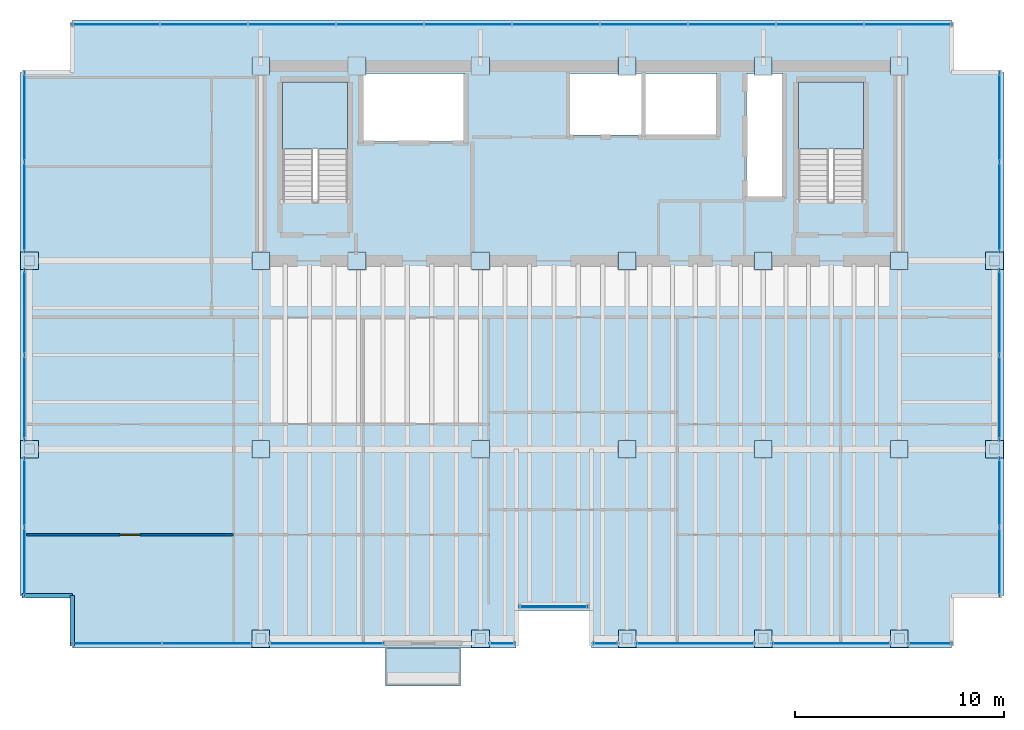
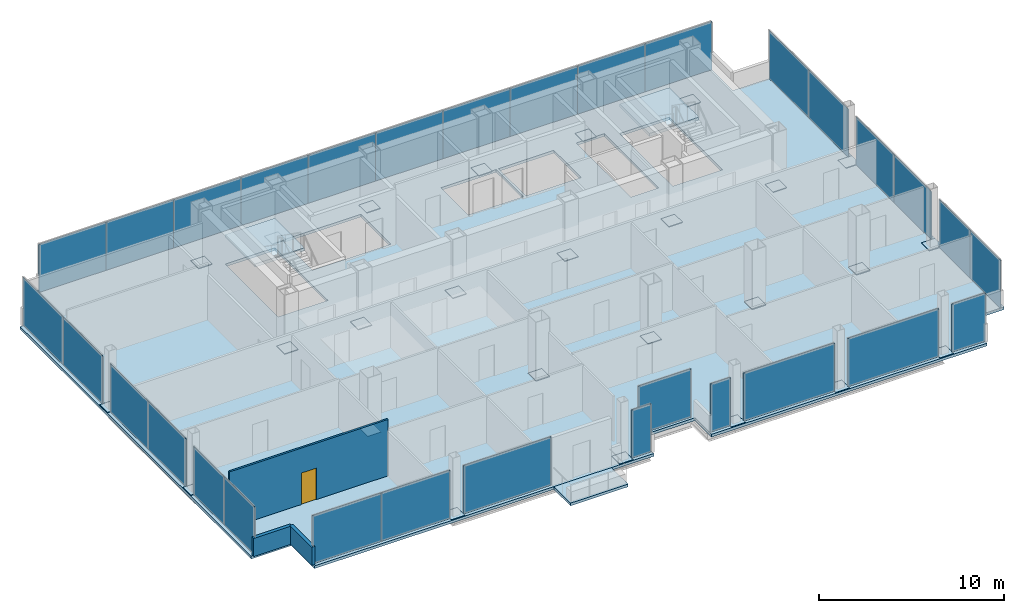
# One storey, part 18 of 22: 57 plates, 4 slabs, 3 walls, 1 door, 7 openings, 17 elements without a shape of their own.
"""IFC4 building model written with IfcOpenShell, lengths in metres."""

from ifc_helpers import new_model, si_unit, direction, frame, frame_2d, origin, origin_2d, place, context, subcontext, project, spatial, polyline, rectangle, outline, extrude, material, layer, layer_set, type_object, element, fill, aggregate, save


model = new_model("IFC4")

# Units and contexts
model_context = context("Model", 3, precision=1e-05, world=origin(), true_north=direction((0.0, 1.0)))
body_context = subcontext(model_context, "Body", "Model", "MODEL_VIEW")
ifc_project = project(units=[si_unit("LENGTHUNIT", "METRE"), si_unit("AREAUNIT", "SQUARE_METRE"), si_unit("VOLUMEUNIT", "CUBIC_METRE"), si_unit("PLANEANGLEUNIT", "RADIAN"), si_unit("MASSUNIT", "GRAM", prefix="KILO")], contexts=[model_context])

# Site, building, storey
site_placement = place(None, origin())
site = spatial("IfcSite", under=ifc_project, at=site_placement, CompositionType="ELEMENT")
building_placement = place(site_placement, origin())
building = spatial("IfcBuilding", under=site, at=building_placement, Name="Noeulbin Bourse Tower", CompositionType="ELEMENT")
storey_placement = place(building_placement, frame((0.0, 0.0, 130.5)))
storey = spatial("IfcBuildingStorey", under=building, at=storey_placement, Name="L32", CompositionType="ELEMENT", Elevation=130.5)

# Curtain wall, plate
ifc_material_1 = material(Name="Dark Tinted Triple Glazing", Category="glass")
curtain_wall_type = type_object("IfcCurtainWallType", Name="CW-SYS-3", PredefinedType="NOTDEFINED", material=ifc_material_1)
curtain_wall_1_placement = place(storey_placement, origin())
curtain_wall_1 = element("IfcCurtainWall", 1, at=curtain_wall_1_placement, inside=storey, type_object=curtain_wall_type, Name="Unitised Curtain Wall CW-L32-SREC", PredefinedType="NOTDEFINED")
ifc_layer_1 = layer(ifc_material_1, 0.035888671875)
ifc_layer_set_1 = layer_set([ifc_layer_1], Name="Dark Tinted Triple Glazing")
plate_type_1 = type_object("IfcPlateType", Name="CW-SYS-3-PNL", PredefinedType="CURTAIN_PANEL", material=ifc_layer_set_1)
plate_1_placement = place(storey_placement, frame((27.5, 12.47998046875, 0.0), z_axis=(0.0, 0.0, 1.0), x_axis=(1.0, 0.0, 0.0)))
plate_1 = element("IfcPlate", 2, at=plate_1_placement, type_object=plate_type_1, Name="Glazed Curtain Panel CW-L32-SREC-P00", PredefinedType="CURTAIN_PANEL", context=body_context, shape_type="SweptSolid", body=[
    extrude(rectangle(XDim=3.300048828125, YDim=0.035888671875, at=origin_2d()), origin(), (0.0, 0.0, 1.0), 3.179931640625),
])
aggregate(curtain_wall_1, [plate_1])

# Curtain wall, plates
curtain_wall_2_placement = place(storey_placement, origin())
curtain_wall_2 = element("IfcCurtainWall", 3, at=curtain_wall_2_placement, inside=storey, type_object=curtain_wall_type, Name="Unitised Curtain Wall CW-L32-S1-S1", PredefinedType="NOTDEFINED")
plate_2_placement = place(storey_placement, frame((6.632568359375, 10.719970703125, 0.0), z_axis=(0.0, 0.0, 1.0), x_axis=(1.0, 0.0, 0.0)))
plate_2 = element("IfcPlate", 4, at=plate_2_placement, type_object=plate_type_1, Name="Glazed Curtain Panel CW-L32-S1-S1-P00", PredefinedType="CURTAIN_PANEL", context=body_context, shape_type="SweptSolid", body=[
    extrude(rectangle(XDim=4.304931640625, YDim=0.035888671875, at=origin_2d()), origin(), (0.0, 0.0, 1.0), 3.179931640625),
])
plate_3_placement = place(storey_placement, frame((10.9375, 10.719970703125, 0.0), z_axis=(0.0, 0.0, 1.0), x_axis=(1.0, 0.0, 0.0)))
plate_3 = element("IfcPlate", 5, at=plate_3_placement, type_object=plate_type_1, Name="Glazed Curtain Panel CW-L32-S1-S1-P01", PredefinedType="CURTAIN_PANEL", context=body_context, shape_type="SweptSolid", body=[
    extrude(rectangle(XDim=4.304931640625, YDim=0.035888671875, at=origin_2d()), origin(), (0.0, 0.0, 1.0), 3.179931640625),
])
aggregate(curtain_wall_2, [plate_2, plate_3])

# Curtain wall, plate
curtain_wall_3_placement = place(storey_placement, origin())
curtain_wall_3 = element("IfcCurtainWall", 6, at=curtain_wall_3_placement, inside=storey, type_object=curtain_wall_type, Name="Unitised Curtain Wall CW-L32-S1-S2", PredefinedType="NOTDEFINED")
plate_4_placement = place(storey_placement, frame((16.655029296875, 10.719970703125, 0.0), z_axis=(0.0, 0.0, 1.0), x_axis=(1.0, 0.0, 0.0)))
plate_4 = element("IfcPlate", 7, at=plate_4_placement, type_object=plate_type_1, Name="Glazed Curtain Panel CW-L32-S1-S2-P00", PredefinedType="CURTAIN_PANEL", context=body_context, shape_type="SweptSolid", body=[
    extrude(rectangle(XDim=5.489990234375, YDim=0.035888671875, at=origin_2d()), origin(), (0.0, 0.0, 1.0), 3.179931640625),
])
aggregate(curtain_wall_3, [plate_4])

curtain_wall_4_placement = place(storey_placement, origin())
curtain_wall_4 = element("IfcCurtainWall", 8, at=curtain_wall_4_placement, inside=storey, type_object=curtain_wall_type, Name="Unitised Curtain Wall CW-L32-S2", PredefinedType="NOTDEFINED")
plate_5_placement = place(storey_placement, frame((25.030029296875, 10.719970703125, 0.0), z_axis=(0.0, 0.0, 1.0), x_axis=(1.0, 0.0, 0.0)))
plate_5 = element("IfcPlate", 9, at=plate_5_placement, type_object=plate_type_1, Name="Glazed Curtain Panel CW-L32-S2-P00", PredefinedType="CURTAIN_PANEL", context=body_context, shape_type="SweptSolid", body=[
    extrude(rectangle(XDim=1.239990234375, YDim=0.035888671875, at=origin_2d()), origin(), (0.0, 0.0, 1.0), 3.179931640625),
])
aggregate(curtain_wall_4, [plate_5])

curtain_wall_5_placement = place(storey_placement, origin())
curtain_wall_5 = element("IfcCurtainWall", 10, at=curtain_wall_5_placement, inside=storey, type_object=curtain_wall_type, Name="Unitised Curtain Wall CW-L32-S3-S1", PredefinedType="NOTDEFINED")
plate_6_placement = place(storey_placement, frame((29.969970703125, 10.719970703125, 0.0), z_axis=(0.0, 0.0, 1.0), x_axis=(1.0, 0.0, 0.0)))
plate_6 = element("IfcPlate", 11, at=plate_6_placement, type_object=plate_type_1, Name="Glazed Curtain Panel CW-L32-S3-S1-P00", PredefinedType="CURTAIN_PANEL", context=body_context, shape_type="SweptSolid", body=[
    extrude(rectangle(XDim=1.239990234375, YDim=0.035888671875, at=origin_2d()), origin(), (0.0, 0.0, 1.0), 3.179931640625),
])
aggregate(curtain_wall_5, [plate_6])

curtain_wall_6_placement = place(storey_placement, origin())
curtain_wall_6 = element("IfcCurtainWall", 12, at=curtain_wall_6_placement, inside=storey, type_object=curtain_wall_type, Name="Unitised Curtain Wall CW-L32-S3-S2", PredefinedType="NOTDEFINED")
plate_7_placement = place(storey_placement, frame((34.25, 10.719970703125, 0.0), z_axis=(0.0, 0.0, 1.0), x_axis=(1.0, 0.0, 0.0)))
plate_7 = element("IfcPlate", 13, at=plate_7_placement, type_object=plate_type_1, Name="Glazed Curtain Panel CW-L32-S3-S2-P00", PredefinedType="CURTAIN_PANEL", context=body_context, shape_type="SweptSolid", body=[
    extrude(rectangle(XDim=5.679931640625, YDim=0.035888671875, at=origin_2d()), origin(), (0.0, 0.0, 1.0), 3.179931640625),
])
aggregate(curtain_wall_6, [plate_7])

curtain_wall_7_placement = place(storey_placement, origin())
curtain_wall_7 = element("IfcCurtainWall", 14, at=curtain_wall_7_placement, inside=storey, type_object=curtain_wall_type, Name="Unitised Curtain Wall CW-L32-S3-S3", PredefinedType="NOTDEFINED")
plate_8_placement = place(storey_placement, frame((40.75, 10.719970703125, 0.0), z_axis=(0.0, 0.0, 1.0), x_axis=(1.0, 0.0, 0.0)))
plate_8 = element("IfcPlate", 15, at=plate_8_placement, type_object=plate_type_1, Name="Glazed Curtain Panel CW-L32-S3-S3-P00", PredefinedType="CURTAIN_PANEL", context=body_context, shape_type="SweptSolid", body=[
    extrude(rectangle(XDim=5.679931640625, YDim=0.035888671875, at=origin_2d()), origin(), (0.0, 0.0, 1.0), 3.179931640625),
])
aggregate(curtain_wall_7, [plate_8])

curtain_wall_8_placement = place(storey_placement, origin())
curtain_wall_8 = element("IfcCurtainWall", 16, at=curtain_wall_8_placement, inside=storey, type_object=curtain_wall_type, Name="Unitised Curtain Wall CW-L32-S3-S4", PredefinedType="NOTDEFINED")
plate_9_placement = place(storey_placement, frame((45.465087890625, 10.719970703125, 0.0), z_axis=(0.0, 0.0, 1.0), x_axis=(1.0, 0.0, 0.0)))
plate_9 = element("IfcPlate", 17, at=plate_9_placement, type_object=plate_type_1, Name="Glazed Curtain Panel CW-L32-S3-S4-P00", PredefinedType="CURTAIN_PANEL", context=body_context, shape_type="SweptSolid", body=[
    extrude(rectangle(XDim=2.110107421875, YDim=0.035888671875, at=origin_2d()), origin(), (0.0, 0.0, 1.0), 3.179931640625),
])
aggregate(curtain_wall_8, [plate_9])

# Curtain wall, plates
curtain_wall_9_placement = place(storey_placement, origin())
curtain_wall_9 = element("IfcCurtainWall", 18, at=curtain_wall_9_placement, inside=storey, type_object=curtain_wall_type, Name="Unitised Curtain Wall CW-L32-N", PredefinedType="NOTDEFINED")
plate_10_placement = place(storey_placement, frame((6.58203125, 40.280029296875, 0.0), z_axis=(0.0, 0.0, 1.0), x_axis=(1.0, 0.0, 0.0)))
plate_10 = element("IfcPlate", 19, at=plate_10_placement, type_object=plate_type_1, Name="Glazed Curtain Panel CW-L32-N-P00", PredefinedType="CURTAIN_PANEL", context=body_context, shape_type="SweptSolid", body=[
    extrude(rectangle(XDim=4.2041015625, YDim=0.035888671875, at=origin_2d()), origin(), (0.0, 0.0, 1.0), 3.179931640625),
])
plate_11_placement = place(storey_placement, frame((10.785888671875, 40.280029296875, 0.0), z_axis=(0.0, 0.0, 1.0), x_axis=(1.0, 0.0, 0.0)))
plate_11 = element("IfcPlate", 20, at=plate_11_placement, type_object=plate_type_1, Name="Glazed Curtain Panel CW-L32-N-P01", PredefinedType="CURTAIN_PANEL", context=body_context, shape_type="SweptSolid", body=[
    extrude(rectangle(XDim=4.2041015625, YDim=0.035888671875, at=origin_2d()), origin(), (0.0, 0.0, 1.0), 3.179931640625),
])
plate_12_placement = place(storey_placement, frame((14.989990234375, 40.280029296875, 0.0), z_axis=(0.0, 0.0, 1.0), x_axis=(1.0, 0.0, 0.0)))
plate_12 = element("IfcPlate", 21, at=plate_12_placement, type_object=plate_type_1, Name="Glazed Curtain Panel CW-L32-N-P02", PredefinedType="CURTAIN_PANEL", context=body_context, shape_type="SweptSolid", body=[
    extrude(rectangle(XDim=4.2041015625, YDim=0.035888671875, at=origin_2d()), origin(), (0.0, 0.0, 1.0), 3.179931640625),
])
plate_13_placement = place(storey_placement, frame((19.194091796875, 40.280029296875, 0.0), z_axis=(0.0, 0.0, 1.0), x_axis=(1.0, 0.0, 0.0)))
plate_13 = element("IfcPlate", 22, at=plate_13_placement, type_object=plate_type_1, Name="Glazed Curtain Panel CW-L32-N-P03", PredefinedType="CURTAIN_PANEL", context=body_context, shape_type="SweptSolid", body=[
    extrude(rectangle(XDim=4.2041015625, YDim=0.035888671875, at=origin_2d()), origin(), (0.0, 0.0, 1.0), 3.179931640625),
])
plate_14_placement = place(storey_placement, frame((23.39794921875, 40.280029296875, 0.0), z_axis=(0.0, 0.0, 1.0), x_axis=(1.0, 0.0, 0.0)))
plate_14 = element("IfcPlate", 23, at=plate_14_placement, type_object=plate_type_1, Name="Glazed Curtain Panel CW-L32-N-P04", PredefinedType="CURTAIN_PANEL", context=body_context, shape_type="SweptSolid", body=[
    extrude(rectangle(XDim=4.2041015625, YDim=0.035888671875, at=origin_2d()), origin(), (0.0, 0.0, 1.0), 3.179931640625),
])
plate_15_placement = place(storey_placement, frame((27.60205078125, 40.280029296875, 0.0), z_axis=(0.0, 0.0, 1.0), x_axis=(1.0, 0.0, 0.0)))
plate_15 = element("IfcPlate", 24, at=plate_15_placement, type_object=plate_type_1, Name="Glazed Curtain Panel CW-L32-N-P05", PredefinedType="CURTAIN_PANEL", context=body_context, shape_type="SweptSolid", body=[
    extrude(rectangle(XDim=4.2041015625, YDim=0.035888671875, at=origin_2d()), origin(), (0.0, 0.0, 1.0), 3.179931640625),
])
plate_16_placement = place(storey_placement, frame((31.805908203125, 40.280029296875, 0.0), z_axis=(0.0, 0.0, 1.0), x_axis=(1.0, 0.0, 0.0)))
plate_16 = element("IfcPlate", 25, at=plate_16_placement, type_object=plate_type_1, Name="Glazed Curtain Panel CW-L32-N-P06", PredefinedType="CURTAIN_PANEL", context=body_context, shape_type="SweptSolid", body=[
    extrude(rectangle(XDim=4.2041015625, YDim=0.035888671875, at=origin_2d()), origin(), (0.0, 0.0, 1.0), 3.179931640625),
])
plate_17_placement = place(storey_placement, frame((36.010009765625, 40.280029296875, 0.0), z_axis=(0.0, 0.0, 1.0), x_axis=(1.0, 0.0, 0.0)))
plate_17 = element("IfcPlate", 26, at=plate_17_placement, type_object=plate_type_1, Name="Glazed Curtain Panel CW-L32-N-P07", PredefinedType="CURTAIN_PANEL", context=body_context, shape_type="SweptSolid", body=[
    extrude(rectangle(XDim=4.2041015625, YDim=0.035888671875, at=origin_2d()), origin(), (0.0, 0.0, 1.0), 3.179931640625),
])
plate_18_placement = place(storey_placement, frame((40.214111328125, 40.280029296875, 0.0), z_axis=(0.0, 0.0, 1.0), x_axis=(1.0, 0.0, 0.0)))
plate_18 = element("IfcPlate", 27, at=plate_18_placement, type_object=plate_type_1, Name="Glazed Curtain Panel CW-L32-N-P08", PredefinedType="CURTAIN_PANEL", context=body_context, shape_type="SweptSolid", body=[
    extrude(rectangle(XDim=4.2041015625, YDim=0.035888671875, at=origin_2d()), origin(), (0.0, 0.0, 1.0), 3.179931640625),
])
plate_19_placement = place(storey_placement, frame((44.41796875, 40.280029296875, 0.0), z_axis=(0.0, 0.0, 1.0), x_axis=(1.0, 0.0, 0.0)))
plate_19 = element("IfcPlate", 28, at=plate_19_placement, type_object=plate_type_1, Name="Glazed Curtain Panel CW-L32-N-P09", PredefinedType="CURTAIN_PANEL", context=body_context, shape_type="SweptSolid", body=[
    extrude(rectangle(XDim=4.2041015625, YDim=0.035888671875, at=origin_2d()), origin(), (0.0, 0.0, 1.0), 3.179931640625),
])
aggregate(curtain_wall_9, [plate_10, plate_11, plate_12, plate_13, plate_14, plate_15, plate_16, plate_17, plate_18, plate_19])

curtain_wall_10_placement = place(storey_placement, origin())
curtain_wall_10 = element("IfcCurtainWall", 29, at=curtain_wall_10_placement, inside=storey, type_object=curtain_wall_type, Name="Unitised Curtain Wall CW-L32-W-S1", PredefinedType="NOTDEFINED")
plate_20_placement = place(storey_placement, frame((2.219970703125, 14.632568359375, 0.0), z_axis=(0.0, 0.0, 1.0), x_axis=(0.0, 1.0, 0.0)))
plate_20 = element("IfcPlate", 30, at=plate_20_placement, type_object=plate_type_1, Name="Glazed Curtain Panel CW-L32-W-S1-P00", PredefinedType="CURTAIN_PANEL", context=body_context, shape_type="SweptSolid", body=[
    extrude(rectangle(XDim=3.304931640625, YDim=0.035888671875, at=origin_2d()), origin(), (0.0, 0.0, 1.0), 3.179931640625),
])
plate_21_placement = place(storey_placement, frame((2.219970703125, 17.9375, 0.0), z_axis=(0.0, 0.0, 1.0), x_axis=(0.0, 1.0, 0.0)))
plate_21 = element("IfcPlate", 31, at=plate_21_placement, type_object=plate_type_1, Name="Glazed Curtain Panel CW-L32-W-S1-P01", PredefinedType="CURTAIN_PANEL", context=body_context, shape_type="SweptSolid", body=[
    extrude(rectangle(XDim=3.304931640625, YDim=0.035888671875, at=origin_2d()), origin(), (0.0, 0.0, 1.0), 3.179931640625),
])
aggregate(curtain_wall_10, [plate_20, plate_21])

curtain_wall_11_placement = place(storey_placement, origin())
curtain_wall_11 = element("IfcCurtainWall", 32, at=curtain_wall_11_placement, inside=storey, type_object=curtain_wall_type, Name="Unitised Curtain Wall CW-L32-W-S2", PredefinedType="NOTDEFINED")
plate_22_placement = place(storey_placement, frame((2.219970703125, 22.455078125, 0.0), z_axis=(0.0, 0.0, 1.0), x_axis=(0.0, 1.0, 0.0)))
plate_22 = element("IfcPlate", 33, at=plate_22_placement, type_object=plate_type_1, Name="Glazed Curtain Panel CW-L32-W-S2-P00", PredefinedType="CURTAIN_PANEL", context=body_context, shape_type="SweptSolid", body=[
    extrude(rectangle(XDim=4.090087890625, YDim=0.035888671875, at=origin_2d()), origin(), (0.0, 0.0, 1.0), 3.179931640625),
])
plate_23_placement = place(storey_placement, frame((2.219970703125, 26.544921875, 0.0), z_axis=(0.0, 0.0, 1.0), x_axis=(0.0, 1.0, 0.0)))
plate_23 = element("IfcPlate", 34, at=plate_23_placement, type_object=plate_type_1, Name="Glazed Curtain Panel CW-L32-W-S2-P01", PredefinedType="CURTAIN_PANEL", context=body_context, shape_type="SweptSolid", body=[
    extrude(rectangle(XDim=4.090087890625, YDim=0.035888671875, at=origin_2d()), origin(), (0.0, 0.0, 1.0), 3.179931640625),
])
aggregate(curtain_wall_11, [plate_22, plate_23])

curtain_wall_12_placement = place(storey_placement, origin())
curtain_wall_12 = element("IfcCurtainWall", 35, at=curtain_wall_12_placement, inside=storey, type_object=curtain_wall_type, Name="Unitised Curtain Wall CW-L32-W-S3", PredefinedType="NOTDEFINED")
plate_24_placement = place(storey_placement, frame((2.219970703125, 31.5625, 0.0), z_axis=(0.0, 0.0, 1.0), x_axis=(0.0, 1.0, 0.0)))
plate_24 = element("IfcPlate", 36, at=plate_24_placement, type_object=plate_type_1, Name="Glazed Curtain Panel CW-L32-W-S3-P00", PredefinedType="CURTAIN_PANEL", context=body_context, shape_type="SweptSolid", body=[
    extrude(rectangle(XDim=4.304931640625, YDim=0.035888671875, at=origin_2d()), origin(), (0.0, 0.0, 1.0), 3.179931640625),
])
plate_25_placement = place(storey_placement, frame((2.219970703125, 35.867431640625, 0.0), z_axis=(0.0, 0.0, 1.0), x_axis=(0.0, 1.0, 0.0)))
plate_25 = element("IfcPlate", 37, at=plate_25_placement, type_object=plate_type_1, Name="Glazed Curtain Panel CW-L32-W-S3-P01", PredefinedType="CURTAIN_PANEL", context=body_context, shape_type="SweptSolid", body=[
    extrude(rectangle(XDim=4.304931640625, YDim=0.035888671875, at=origin_2d()), origin(), (0.0, 0.0, 1.0), 3.179931640625),
])
aggregate(curtain_wall_12, [plate_24, plate_25])

curtain_wall_13_placement = place(storey_placement, origin())
curtain_wall_13 = element("IfcCurtainWall", 38, at=curtain_wall_13_placement, inside=storey, type_object=curtain_wall_type, Name="Unitised Curtain Wall CW-L32-E-S1", PredefinedType="NOTDEFINED")
plate_26_placement = place(storey_placement, frame((48.780029296875, 14.632568359375, 0.0), z_axis=(0.0, 0.0, 1.0), x_axis=(0.0, 1.0, 0.0)))
plate_26 = element("IfcPlate", 39, at=plate_26_placement, type_object=plate_type_1, Name="Glazed Curtain Panel CW-L32-E-S1-P00", PredefinedType="CURTAIN_PANEL", context=body_context, shape_type="SweptSolid", body=[
    extrude(rectangle(XDim=3.304931640625, YDim=0.035888671875, at=origin_2d()), origin(), (0.0, 0.0, 1.0), 3.179931640625),
])
plate_27_placement = place(storey_placement, frame((48.780029296875, 17.9375, 0.0), z_axis=(0.0, 0.0, 1.0), x_axis=(0.0, 1.0, 0.0)))
plate_27 = element("IfcPlate", 40, at=plate_27_placement, type_object=plate_type_1, Name="Glazed Curtain Panel CW-L32-E-S1-P01", PredefinedType="CURTAIN_PANEL", context=body_context, shape_type="SweptSolid", body=[
    extrude(rectangle(XDim=3.304931640625, YDim=0.035888671875, at=origin_2d()), origin(), (0.0, 0.0, 1.0), 3.179931640625),
])
aggregate(curtain_wall_13, [plate_26, plate_27])

curtain_wall_14_placement = place(storey_placement, origin())
curtain_wall_14 = element("IfcCurtainWall", 41, at=curtain_wall_14_placement, inside=storey, type_object=curtain_wall_type, Name="Unitised Curtain Wall CW-L32-E-S2", PredefinedType="NOTDEFINED")
plate_28_placement = place(storey_placement, frame((48.780029296875, 22.455078125, 0.0), z_axis=(0.0, 0.0, 1.0), x_axis=(0.0, 1.0, 0.0)))
plate_28 = element("IfcPlate", 42, at=plate_28_placement, type_object=plate_type_1, Name="Glazed Curtain Panel CW-L32-E-S2-P00", PredefinedType="CURTAIN_PANEL", context=body_context, shape_type="SweptSolid", body=[
    extrude(rectangle(XDim=4.090087890625, YDim=0.035888671875, at=origin_2d()), origin(), (0.0, 0.0, 1.0), 3.179931640625),
])
plate_29_placement = place(storey_placement, frame((48.780029296875, 26.544921875, 0.0), z_axis=(0.0, 0.0, 1.0), x_axis=(0.0, 1.0, 0.0)))
plate_29 = element("IfcPlate", 43, at=plate_29_placement, type_object=plate_type_1, Name="Glazed Curtain Panel CW-L32-E-S2-P01", PredefinedType="CURTAIN_PANEL", context=body_context, shape_type="SweptSolid", body=[
    extrude(rectangle(XDim=4.090087890625, YDim=0.035888671875, at=origin_2d()), origin(), (0.0, 0.0, 1.0), 3.179931640625),
])
aggregate(curtain_wall_14, [plate_28, plate_29])

curtain_wall_15_placement = place(storey_placement, origin())
curtain_wall_15 = element("IfcCurtainWall", 44, at=curtain_wall_15_placement, inside=storey, type_object=curtain_wall_type, Name="Unitised Curtain Wall CW-L32-E-S3", PredefinedType="NOTDEFINED")
plate_30_placement = place(storey_placement, frame((48.780029296875, 31.5625, 0.0), z_axis=(0.0, 0.0, 1.0), x_axis=(0.0, 1.0, 0.0)))
plate_30 = element("IfcPlate", 45, at=plate_30_placement, type_object=plate_type_1, Name="Glazed Curtain Panel CW-L32-E-S3-P00", PredefinedType="CURTAIN_PANEL", context=body_context, shape_type="SweptSolid", body=[
    extrude(rectangle(XDim=4.304931640625, YDim=0.035888671875, at=origin_2d()), origin(), (0.0, 0.0, 1.0), 3.179931640625),
])
plate_31_placement = place(storey_placement, frame((48.780029296875, 35.867431640625, 0.0), z_axis=(0.0, 0.0, 1.0), x_axis=(0.0, 1.0, 0.0)))
plate_31 = element("IfcPlate", 46, at=plate_31_placement, type_object=plate_type_1, Name="Glazed Curtain Panel CW-L32-E-S3-P01", PredefinedType="CURTAIN_PANEL", context=body_context, shape_type="SweptSolid", body=[
    extrude(rectangle(XDim=4.304931640625, YDim=0.035888671875, at=origin_2d()), origin(), (0.0, 0.0, 1.0), 3.179931640625),
])
aggregate(curtain_wall_15, [plate_30, plate_31])

# Plates
ifc_material_2 = material(Name="Steel S355", Category="steel")
ifc_layer_2 = layer(ifc_material_2, 0.030029296875)
ifc_layer_set_2 = layer_set([ifc_layer_2], Name="Steel S355")
plate_type_2 = type_object("IfcPlateType", Name="PLT-BN1", PredefinedType="USERDEFINED", material=ifc_layer_set_2)
for number, where, z_axis, x_axis, name in (
    (47, (13.5, 29.0, 0.0048828125), (0.0, 0.0, 1.0), (1.0, 0.0, 0.0), "Mega-Column Splice Plate BN1-L32-01"),
    (48, (13.5, 38.300048828125, 0.0048828125), (0.0, 0.0, 1.0), (1.0, 0.0, 0.0), "Mega-Column Splice Plate BN1-L32-02"),
    (49, (18.10009765625, 29.0, 0.0048828125), (0.0, 0.0, 1.0), (1.0, 0.0, 0.0), "Mega-Column Splice Plate BN1-L32-03"),
    (50, (18.10009765625, 38.300048828125, 0.0048828125), (0.0, 0.0, 1.0), (1.0, 0.0, 0.0), "Mega-Column Splice Plate BN1-L32-04"),
    (51, (24.0, 29.0, 0.0048828125), (0.0, 0.0, 1.0), (1.0, 0.0, 0.0), "Mega-Column Splice Plate BN1-L32-05"),
    (52, (24.0, 38.300048828125, 0.0048828125), (0.0, 0.0, 1.0), (1.0, 0.0, 0.0), "Mega-Column Splice Plate BN1-L32-06"),
    (53, (31.0, 29.0, 0.0048828125), (0.0, 0.0, 1.0), (1.0, 0.0, 0.0), "Mega-Column Splice Plate BN1-L32-07"),
    (54, (31.0, 38.300048828125, 0.0048828125), (0.0, 0.0, 1.0), (1.0, 0.0, 0.0), "Mega-Column Splice Plate BN1-L32-08"),
    (55, (37.5, 29.0, 0.0048828125), (0.0, 0.0, 1.0), (1.0, 0.0, 0.0), "Mega-Column Splice Plate BN1-L32-09"),
    (56, (37.5, 38.300048828125, 0.0048828125), (0.0, 0.0, 1.0), (1.0, 0.0, 0.0), "Mega-Column Splice Plate BN1-L32-10"),
    (57, (44.0, 29.0, 0.0048828125), (0.0, 0.0, 1.0), (1.0, 0.0, 0.0), "Mega-Column Splice Plate BN1-L32-11"),
    (58, (44.0, 38.300048828125, 0.0048828125), (0.0, 0.0, 1.0), (1.0, 0.0, 0.0), "Mega-Column Splice Plate BN1-L32-12"),
    (59, (13.5, 20.0, 0.0048828125), (0.0, 0.0, 1.0), (1.0, 0.0, 0.0), "Mega-Column Splice Plate BN1-L32-13"),
    (60, (24.0, 20.0, 0.0048828125), (0.0, 0.0, 1.0), (1.0, 0.0, 0.0), "Mega-Column Splice Plate BN1-L32-14"),
    (61, (31.0, 20.0, 0.0048828125), (0.0, 0.0, 1.0), (1.0, 0.0, 0.0), "Mega-Column Splice Plate BN1-L32-15"),
    (62, (37.5, 20.0, 0.0048828125), (0.0, 0.0, 1.0), (1.0, 0.0, 0.0), "Mega-Column Splice Plate BN1-L32-16"),
    (63, (44.0, 20.0, 0.0048828125), (0.0, 0.0, 1.0), (1.0, 0.0, 0.0), "Mega-Column Splice Plate BN1-L32-17"),
    (64, (2.449951171875, 20.0, 0.0048828125), (0.0, 0.0, 1.0), (1.0, 0.0, 0.0), "Perimeter Column Splice Plate BN1-L32-01"),
    (65, (2.449951171875, 29.0, 0.0048828125), (0.0, 0.0, 1.0), (1.0, 0.0, 0.0), "Perimeter Column Splice Plate BN1-L32-02"),
    (66, (13.5, 10.949951171875, 0.0048828125), (0.0, 0.0, 1.0), (1.0, 0.0, 0.0), "Perimeter Column Splice Plate BN1-L32-03"),
    (67, (24.0, 10.949951171875, 0.0048828125), (0.0, 0.0, 1.0), (1.0, 0.0, 0.0), "Perimeter Column Splice Plate BN1-L32-04"),
    (68, (31.0, 10.949951171875, 0.0048828125), (0.0, 0.0, 1.0), (1.0, 0.0, 0.0), "Perimeter Column Splice Plate BN1-L32-05"),
    (69, (37.5, 10.949951171875, 0.0048828125), (0.0, 0.0, 1.0), (1.0, 0.0, 0.0), "Perimeter Column Splice Plate BN1-L32-06"),
    (70, (44.0, 10.949951171875, 0.0048828125), (0.0, 0.0, 1.0), (1.0, 0.0, 0.0), "Perimeter Column Splice Plate BN1-L32-07"),
    (71, (48.550048828125, 20.0, 0.0048828125), (0.0, 0.0, 1.0), (1.0, 0.0, 0.0), "Perimeter Column Splice Plate BN1-L32-08"),
    (72, (48.550048828125, 29.0, 0.0048828125), (0.0, 0.0, 1.0), (1.0, 0.0, 0.0), "Perimeter Column Splice Plate BN1-L32-09"),
):
    element("IfcPlate", number, at=place(storey_placement, frame(where, z_axis=z_axis, x_axis=x_axis)), inside=storey, type_object=plate_type_2, Name=name, ObjectType="SPLICE PLATE", PredefinedType="USERDEFINED", context=body_context, shape_type="SweptSolid", body=[
        extrude(rectangle(XDim=0.85009765625, YDim=0.85009765625, at=origin_2d()), origin(), (0.0, 0.0, 1.0), 0.030029296875),
    ])

# Stair, slab
ifc_material_3 = material(Name="Concrete C40/50", Category="concrete")
stair_type = type_object("IfcStairType", Name="STR-CORE-1560", PredefinedType="HALF_TURN_STAIR", material=ifc_material_3)
stair_1_placement = place(storey_placement, origin())
stair_1 = element("IfcStair", 73, at=stair_1_placement, inside=storey, type_object=stair_type, Name="L32 ST-1", PredefinedType="HALF_TURN_STAIR")
ifc_layer_3 = layer(ifc_material_3, 0.199951171875)
ifc_layer_set_3 = layer_set([ifc_layer_3], Name="Concrete C40/50")
slab_type_1 = type_object("IfcSlabType", Name="SLB-LND-200", PredefinedType="LANDING", material=ifc_layer_set_3)
slab_1_placement = place(storey_placement, frame((0.0, 0.0, 1.75)))
slab_1 = element("IfcSlab", 74, at=slab_1_placement, type_object=slab_type_1, Name="ST-1 landing 1", PredefinedType="LANDING", context=body_context, shape_type="SweptSolid", body=[
    extrude(outline(polyline([(17.64990234375, 34.330078125), (17.64990234375, 37.5439453125), (14.550048828125, 37.5439453125), (14.550048828125, 34.330078125), (17.64990234375, 34.330078125)])), origin(), (0.0, 0.0, 1.0), 0.199951171875),
])
aggregate(stair_1, [slab_1])

stair_2_placement = place(storey_placement, origin())
stair_2 = element("IfcStair", 75, at=stair_2_placement, inside=storey, type_object=stair_type, Name="L32 ST-2", PredefinedType="HALF_TURN_STAIR")
slab_2_placement = place(storey_placement, frame((0.0, 0.0, 1.75)))
slab_2 = element("IfcSlab", 76, at=slab_2_placement, type_object=slab_type_1, Name="ST-2 landing 1", PredefinedType="LANDING", context=body_context, shape_type="SweptSolid", body=[
    extrude(outline(polyline([(42.280029296875, 34.330078125), (42.280029296875, 37.5439453125), (39.179931640625, 37.5439453125), (39.179931640625, 34.330078125), (42.280029296875, 34.330078125)])), origin(), (0.0, 0.0, 1.0), 0.199951171875),
])
aggregate(stair_2, [slab_2])

# Slab, openings
ifc_layer_4 = layer(ifc_material_3, 0.179931640625)
ifc_layer_set_4 = layer_set([ifc_layer_4], Name="Concrete C40/50")
slab_type_2 = type_object("IfcSlabType", Name="SLB-TYP-180", PredefinedType="FLOOR", material=ifc_layer_set_4)
slab_3_placement = place(storey_placement, frame((0.0, 0.0, -0.179931640625)))
slab_3 = element("IfcSlab", 77, at=slab_3_placement, inside=storey, type_object=slab_type_2, Name="Tower Structural Floor Slab L32", PredefinedType="FLOOR", context=body_context, shape_type="SweptSolid", body=[
    extrude(outline(polyline([(4.5, 10.5), (25.699951171875, 10.5), (25.699951171875, 12.300048828125), (29.300048828125, 12.300048828125), (29.300048828125, 10.5), (46.5, 10.5), (46.5, 13.0), (49.0, 13.0), (49.0, 38.0), (46.5, 38.0), (46.5, 40.5), (4.5, 40.5), (4.5, 38.0), (2.0, 38.0), (2.0, 13.0), (4.5, 13.0), (4.5, 10.5)]), holes=[polyline([(17.64990234375, 31.81005859375), (17.64990234375, 37.5439453125), (14.550048828125, 37.5439453125), (14.550048828125, 31.81005859375), (17.64990234375, 31.81005859375)]), polyline([(42.280029296875, 31.81005859375), (42.280029296875, 37.5439453125), (39.179931640625, 37.5439453125), (39.179931640625, 31.81005859375), (42.280029296875, 31.81005859375)]), polyline([(18.35009765625, 34.699951171875), (23.25, 34.699951171875), (23.25, 37.949951171875), (18.35009765625, 37.949951171875), (18.35009765625, 34.699951171875)]), polyline([(36.699951171875, 32.050048828125), (38.449951171875, 32.050048828125), (38.449951171875, 37.949951171875), (36.699951171875, 37.949951171875), (36.699951171875, 32.050048828125)]), polyline([(28.25, 35.0), (31.699951171875, 35.0), (31.699951171875, 37.949951171875), (28.25, 37.949951171875), (28.25, 35.0)]), polyline([(31.85009765625, 35.0), (35.300048828125, 35.0), (35.300048828125, 37.949951171875), (31.85009765625, 37.949951171875), (31.85009765625, 35.0)])]), origin(), (0.0, 0.0, 1.0), 0.179931640625),
])
opening_1_placement = place(slab_3_placement, frame((0.0, 0.0, -0.010009765625)))
element("IfcOpeningElement", 78, at=opening_1_placement, cuts=slab_3, Name="Slab Shaft Opening SLB-L32-TWR-1", PredefinedType="OPENING", context=body_context, shape_type="SweptSolid", body=[
    extrude(outline(polyline([(17.64990234375, 31.81005859375), (17.64990234375, 37.5439453125), (14.550048828125, 37.5439453125), (14.550048828125, 31.81005859375), (17.64990234375, 31.81005859375)])), origin(), (0.0, 0.0, 1.0), 0.199951171875),
])
opening_2_placement = place(slab_3_placement, frame((0.0, 0.0, -0.010009765625)))
element("IfcOpeningElement", 79, at=opening_2_placement, cuts=slab_3, Name="Slab Shaft Opening SLB-L32-TWR-2", PredefinedType="OPENING", context=body_context, shape_type="SweptSolid", body=[
    extrude(outline(polyline([(42.280029296875, 31.81005859375), (42.280029296875, 37.5439453125), (39.179931640625, 37.5439453125), (39.179931640625, 31.81005859375), (42.280029296875, 31.81005859375)])), origin(), (0.0, 0.0, 1.0), 0.199951171875),
])
opening_3_placement = place(slab_3_placement, frame((0.0, 0.0, -0.010009765625)))
element("IfcOpeningElement", 80, at=opening_3_placement, cuts=slab_3, Name="Slab Shaft Opening SLB-L32-TWR-3", PredefinedType="OPENING", context=body_context, shape_type="SweptSolid", body=[
    extrude(outline(polyline([(18.35009765625, 34.699951171875), (23.25, 34.699951171875), (23.25, 37.949951171875), (18.35009765625, 37.949951171875), (18.35009765625, 34.699951171875)])), origin(), (0.0, 0.0, 1.0), 0.199951171875),
])
opening_4_placement = place(slab_3_placement, frame((0.0, 0.0, -0.010009765625)))
element("IfcOpeningElement", 81, at=opening_4_placement, cuts=slab_3, Name="Slab Shaft Opening SLB-L32-TWR-4", PredefinedType="OPENING", context=body_context, shape_type="SweptSolid", body=[
    extrude(outline(polyline([(36.699951171875, 32.050048828125), (38.449951171875, 32.050048828125), (38.449951171875, 37.949951171875), (36.699951171875, 37.949951171875), (36.699951171875, 32.050048828125)])), origin(), (0.0, 0.0, 1.0), 0.199951171875),
])
opening_5_placement = place(slab_3_placement, frame((0.0, 0.0, -0.010009765625)))
element("IfcOpeningElement", 82, at=opening_5_placement, cuts=slab_3, Name="Slab Shaft Opening SLB-L32-TWR-5", PredefinedType="OPENING", context=body_context, shape_type="SweptSolid", body=[
    extrude(outline(polyline([(28.25, 35.0), (31.699951171875, 35.0), (31.699951171875, 37.949951171875), (28.25, 37.949951171875), (28.25, 35.0)])), origin(), (0.0, 0.0, 1.0), 0.199951171875),
])
opening_6_placement = place(slab_3_placement, frame((0.0, 0.0, -0.010009765625)))
element("IfcOpeningElement", 83, at=opening_6_placement, cuts=slab_3, Name="Slab Shaft Opening SLB-L32-TWR-6", PredefinedType="OPENING", context=body_context, shape_type="SweptSolid", body=[
    extrude(outline(polyline([(31.85009765625, 35.0), (35.300048828125, 35.0), (35.300048828125, 37.949951171875), (31.85009765625, 37.949951171875), (31.85009765625, 35.0)])), origin(), (0.0, 0.0, 1.0), 0.199951171875),
])

# Slab
slab_4_placement = place(storey_placement, frame((0.0, 0.0, -0.179931640625)))
element("IfcSlab", 84, at=slab_4_placement, inside=storey, type_object=slab_type_2, Name="Cantilevered Tree-Balcony Slab L32", PredefinedType="FLOOR", context=body_context, shape_type="SweptSolid", body=[
    extrude(outline(polyline([(19.449951171875, 8.699951171875), (23.050048828125, 8.699951171875), (23.050048828125, 10.5), (19.449951171875, 10.5), (19.449951171875, 8.699951171875)])), origin(), (0.0, 0.0, 1.0), 0.179931640625),
])

# Walls
ifc_layer_5 = layer(ifc_material_3, 0.199951171875)
ifc_layer_set_5 = layer_set([ifc_layer_5], Name="Concrete C40/50")
wall_type_1 = type_object("IfcWallType", Name="WAL-PAR-200", PredefinedType="PARAPET", material=ifc_layer_set_5)
for number, where, z_axis, x_axis, name in (
    (85, (2.10009765625, 13.0, 0.0), (0.0, 0.0, 1.0), (1.0, 0.0, 0.0), "Corner Notch Parapet L32-SW1"),
    (86, (4.5, 13.0, 0.0), (0.0, 0.0, 1.0), (0.0, -1.0, 0.0), "Corner Notch Parapet L32-SW2"),
):
    element("IfcWall", number, at=place(storey_placement, frame(where, z_axis=z_axis, x_axis=x_axis)), inside=storey, type_object=wall_type_1, Name=name, PredefinedType="PARAPET", context=body_context, shape_type="SweptSolid", body=[
        extrude(rectangle(XDim=2.39990234375, YDim=0.199951171875, at=frame_2d((1.199951171875, 0.0))), origin(), (0.0, 0.0, 1.0), 1.199951171875),
    ])

# Wall, opening, door
ifc_material_4 = material(Name="Steel Stud Gypsum Partition", Category="steel")
ifc_layer_6 = layer(ifc_material_4, 0.1201171875)
ifc_layer_set_6 = layer_set([ifc_layer_6], Name="Steel Stud Gypsum Partition")
wall_type_2 = type_object("IfcWallType", Name="WAL-PRT-120", PredefinedType="PARTITIONING", material=ifc_layer_set_6)
wall_placement = place(storey_placement, frame((2.31005859375, 15.922119140625, 0.0), z_axis=(0.0, 0.0, 1.0), x_axis=(1.0, 0.0, 0.0)))
wall = element("IfcWall", 87, at=wall_placement, inside=storey, type_object=wall_type_2, Name="Interior Partition Wall L32-07", PredefinedType="PARTITIONING", context=body_context, shape_type="SweptSolid", body=[
    extrude(rectangle(XDim=9.889892578125, YDim=0.1201171875, at=frame_2d((4.94482421875, 0.0))), origin(), (0.0, 0.0, 1.0), 3.719970703125),
])
opening_7_placement = place(wall_placement, frame((4.469970703125, 0.0, 0.0)))
opening_7 = element("IfcOpeningElement", 88, at=opening_7_placement, cuts=wall, Name="Opening ID-09", PredefinedType="OPENING", context=body_context, shape_type="SweptSolid", body=[
    extrude(rectangle(XDim=0.949951171875, YDim=2.080078125, at=frame_2d((0.47509765625, 1.0400390625))), frame((0.0, 0.070068359375, 0.0), z_axis=(0.0, -1.0, 0.0), x_axis=(1.0, 0.0, 0.0)), (0.0, 0.0, 1.0), 0.14013671875),
])
ifc_material_5 = material(Name="Acoustic Solid-Core Timber", Category="wood")
door_type = type_object("IfcDoorType", Name="DR-SINGLE-950", OperationType="SINGLE_SWING_LEFT", PredefinedType="DOOR", material=ifc_material_5)
door_placement = place(opening_7_placement, origin())
door = element("IfcDoor", 89, at=door_placement, inside=storey, type_object=door_type, Name="Interior Door L32-09", OperationType="SINGLE_SWING_RIGHT", OverallHeight=2.080078125, OverallWidth=0.949951171875, PredefinedType="DOOR", context=body_context, shape_type="SweptSolid", body=[
    extrude(rectangle(XDim=0.949951171875, YDim=2.080078125, at=frame_2d((0.47509765625, 1.0400390625))), frame((0.0, 0.02490234375, 0.0), z_axis=(0.0, -1.0, 0.0), x_axis=(1.0, 0.0, 0.0)), (0.0, 0.0, 1.0), 0.050048828125),
])
fill(opening_7, door)

save(model, "model.ifc")
